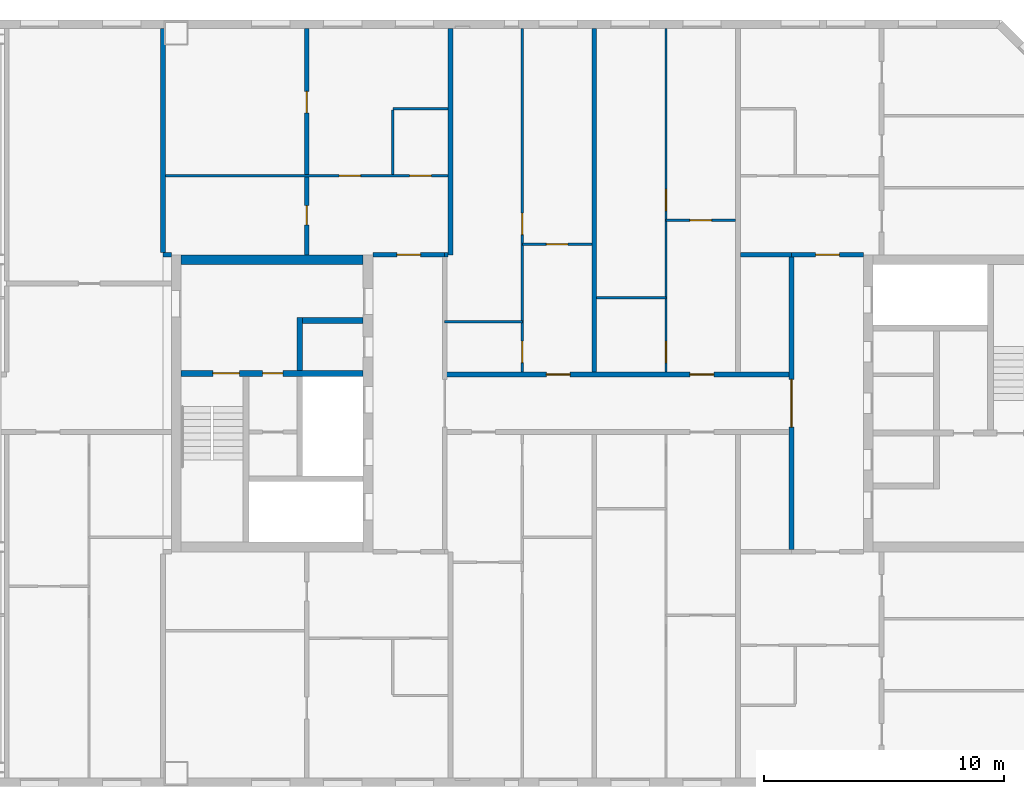
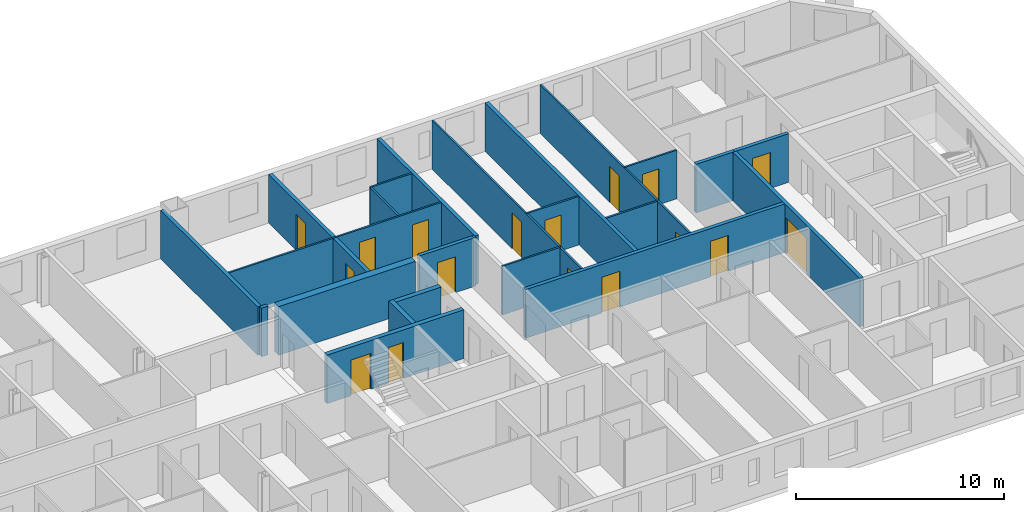
# One storey, part 15 of 19: 24 walls, 17 doors, 17 openings.
"""IFC4 building model written with IfcOpenShell, lengths in metres."""

from ifc_helpers import new_model, si_unit, direction, frame, frame_2d, origin, place, context, subcontext, project, spatial, rectangle, extrude, material, layer, layer_set, type_object, element, fill, save


model = new_model("IFC4")

# Units and contexts
model_context = context("Model", 3, precision=1e-05, world=origin(), true_north=direction((0.0, 1.0)))
body_context = subcontext(model_context, "Body", "Model", "MODEL_VIEW")
ifc_project = project(units=[si_unit("LENGTHUNIT", "METRE"), si_unit("AREAUNIT", "SQUARE_METRE"), si_unit("VOLUMEUNIT", "CUBIC_METRE"), si_unit("PLANEANGLEUNIT", "RADIAN"), si_unit("MASSUNIT", "GRAM", prefix="KILO")], contexts=[model_context])

# Site, building, storey
site_placement = place(None, origin())
site = spatial("IfcSite", under=ifc_project, at=site_placement, CompositionType="ELEMENT")
building_placement = place(site_placement, origin())
building = spatial("IfcBuilding", under=site, at=building_placement, Name="Tuart Gate Housing", CompositionType="ELEMENT")
storey_placement = place(building_placement, frame((0.0, 0.0, 224.5)))
storey = spatial("IfcBuildingStorey", under=building, at=storey_placement, Name="L63", CompositionType="ELEMENT", Elevation=224.5)

# Wall, openings, doors
ifc_material_1 = material(Name="Concrete C40", Category="concrete")
ifc_layer_1 = layer(ifc_material_1, 0.25)
ifc_layer_set_1 = layer_set([ifc_layer_1], Name="Core wall 250 C40")
wall_type_1 = type_object("IfcWallType", Name="Core wall 250 C40", PredefinedType="SHEAR", material=ifc_layer_set_1)
wall_1_placement = place(storey_placement, frame((139.360107421875, 71.25, 0.0), z_axis=(0.0, 0.0, 1.0), x_axis=(-1.0, 0.0, 0.0)))
wall_1 = element("IfcWall", 1, at=wall_1_placement, inside=storey, type_object=wall_type_1, Name="Core wall BG.3", PredefinedType="SHEAR", context=body_context, shape_type="SweptSolid", body=[
    extrude(rectangle(XDim=7.60009765625, YDim=0.25, at=frame_2d((3.800048828125, 0.0))), origin(), (0.0, 0.0, 1.0), 2.85009765625),
])
opening_1_placement = place(wall_1_placement, frame((5.175048828125, 0.0, 0.0)))
opening_1 = element("IfcOpeningElement", 2, at=opening_1_placement, cuts=wall_1, Name="Opening D2409", PredefinedType="OPENING", context=body_context, shape_type="SweptSolid", body=[
    extrude(rectangle(XDim=1.10009765625, YDim=2.10009765625, at=frame_2d((0.550048828125, 1.050048828125))), frame((0.0, 0.135009765625, 0.0), z_axis=(0.0, -1.0, 0.0), x_axis=(1.0, 0.0, 0.0)), (0.0, 0.0, 1.0), 0.27001953125),
])
opening_2_placement = place(wall_1_placement, frame((3.35009765625, 0.0, 0.0)))
opening_2 = element("IfcOpeningElement", 3, at=opening_2_placement, cuts=wall_1, Name="Opening D2408", PredefinedType="OPENING", context=body_context, shape_type="SweptSolid", body=[
    extrude(rectangle(XDim=0.85009765625, YDim=2.10009765625, at=frame_2d((0.425048828125, 1.050048828125))), frame((0.0, 0.135009765625, 0.0), z_axis=(0.0, -1.0, 0.0), x_axis=(1.0, 0.0, 0.0)), (0.0, 0.0, 1.0), 0.27001953125),
])
ifc_material_2 = material(Name="Steel fire door", Category="steel")
door_type_1 = type_object("IfcDoorType", Name="Riser door 850 x 2100", OperationType="SINGLE_SWING_LEFT", PredefinedType="DOOR", material=ifc_material_2)
door_1_placement = place(opening_2_placement, origin())
door_1 = element("IfcDoor", 4, at=door_1_placement, inside=storey, type_object=door_type_1, Name="Service room door BG.W1", OperationType="SINGLE_SWING_LEFT", OverallHeight=2.10009765625, OverallWidth=0.85009765625, PredefinedType="DOOR", context=body_context, shape_type="SweptSolid", body=[
    extrude(rectangle(XDim=0.85009765625, YDim=2.10009765625, at=frame_2d((0.425048828125, 1.050048828125))), frame((0.0, 0.02490234375, 0.0), z_axis=(0.0, -1.0, 0.0), x_axis=(1.0, 0.0, 0.0)), (0.0, 0.0, 1.0), 0.050048828125),
])
fill(opening_2, door_1)
ifc_material_3 = material(Name="Steel fire door", Category="steel")
door_type_2 = type_object("IfcDoorType", Name="Stair door 1100 x 2100", OperationType="SINGLE_SWING_LEFT", PredefinedType="DOOR", material=ifc_material_3)
door_2_placement = place(opening_1_placement, origin())
door_2 = element("IfcDoor", 5, at=door_2_placement, inside=storey, type_object=door_type_2, Name="Stair door BG.SD", OperationType="SINGLE_SWING_LEFT", OverallHeight=2.10009765625, OverallWidth=1.10009765625, PredefinedType="DOOR", context=body_context, shape_type="SweptSolid", body=[
    extrude(rectangle(XDim=1.10009765625, YDim=2.10009765625, at=frame_2d((0.550048828125, 1.050048828125))), frame((0.0, 0.02490234375, 0.0), z_axis=(0.0, -1.0, 0.0), x_axis=(1.0, 0.0, 0.0)), (0.0, 0.0, 1.0), 0.050048828125),
])
fill(opening_1, door_2)

# Walls
wall_2_placement = place(storey_placement, frame((139.360107421875, 73.449951171875, 0.0), z_axis=(0.0, 0.0, 1.0), x_axis=(-1.0, 0.0, 0.0)))
element("IfcWall", 6, at=wall_2_placement, inside=storey, type_object=wall_type_1, Name="Core wall BG.4", PredefinedType="SHEAR", context=body_context, shape_type="SweptSolid", body=[
    extrude(rectangle(XDim=2.525146484375, YDim=0.25, at=frame_2d((1.2626953125, 0.0))), origin(), (0.0, 0.0, 1.0), 2.85009765625),
])
wall_3_placement = place(storey_placement, frame((136.7099609375, 71.375, 0.0), z_axis=(0.0, 0.0, 1.0), x_axis=(0.0, 1.0, 0.0)))
element("IfcWall", 7, at=wall_3_placement, inside=storey, type_object=wall_type_1, Name="Core wall BG.6", PredefinedType="SHEAR", context=body_context, shape_type="SweptSolid", body=[
    extrude(rectangle(XDim=2.199951171875, YDim=0.25, at=frame_2d((1.10009765625, 0.0))), origin(), (0.0, 0.0, 1.0), 2.85009765625),
])
ifc_material_4 = material(Name="Concrete C40", Category="concrete")
ifc_layer_2 = layer(ifc_material_4, 0.39990234375)
ifc_layer_set_2 = layer_set([ifc_layer_2], Name="Core wall 400 C40")
wall_type_2 = type_object("IfcWallType", Name="Core wall 400 C40", PredefinedType="SHEAR", material=ifc_layer_set_2)
wall_4_placement = place(storey_placement, frame((139.360107421875, 76.0, 0.0), z_axis=(0.0, 0.0, 1.0), x_axis=(-1.0, 0.0, 0.0)))
element("IfcWall", 8, at=wall_4_placement, inside=storey, type_object=wall_type_2, Name="Core wall BG north", PredefinedType="SHEAR", context=body_context, shape_type="SweptSolid", body=[
    extrude(rectangle(XDim=7.60009765625, YDim=0.39990234375, at=frame_2d((3.800048828125, 0.0))), origin(), (0.0, 0.0, 1.0), 2.85009765625),
])

# Wall, openings, doors
ifc_material_5 = material(Name="Concrete masonry 15 MPa", Category="masonry")
ifc_layer_3 = layer(ifc_material_5, 0.199951171875)
ifc_layer_set_3 = layer_set([ifc_layer_3], Name="Corridor wall masonry 200")
wall_type_3 = type_object("IfcWallType", Name="Corridor wall masonry 200", PredefinedType="PARTITIONING", material=ifc_layer_set_3)
wall_5_placement = place(storey_placement, frame((142.760009765625, 71.199951171875, 0.0), z_axis=(0.0, 0.0, 1.0), x_axis=(1.0, 0.0, 0.0)))
wall_5 = element("IfcWall", 9, at=wall_5_placement, inside=storey, type_object=wall_type_3, Name="Corridor wall masonry 200", PredefinedType="PARTITIONING", context=body_context, shape_type="SweptSolid", body=[
    extrude(rectangle(XDim=14.47998046875, YDim=0.199951171875, at=frame_2d((7.239990234375, 0.0))), origin(), (0.0, 0.0, 1.0), 2.85009765625),
])
opening_3_placement = place(wall_5_placement, frame((4.239990234375, 0.0, 0.0)))
opening_3 = element("IfcOpeningElement", 10, at=opening_3_placement, cuts=wall_5, Name="Opening D2410", PredefinedType="OPENING", context=body_context, shape_type="SweptSolid", body=[
    extrude(rectangle(XDim=1.0, YDim=2.10009765625, at=frame_2d((0.5, 1.050048828125))), frame((0.0, 0.10986328125, 0.0), z_axis=(0.0, -1.0, 0.0), x_axis=(1.0, 0.0, 0.0)), (0.0, 0.0, 1.0), 0.219970703125),
])
opening_4_placement = place(wall_5_placement, frame((10.239990234375, 0.0, 0.0)))
opening_4 = element("IfcOpeningElement", 11, at=opening_4_placement, cuts=wall_5, Name="Opening D2411", PredefinedType="OPENING", context=body_context, shape_type="SweptSolid", body=[
    extrude(rectangle(XDim=1.0, YDim=2.10009765625, at=frame_2d((0.5, 1.050048828125))), frame((0.0, 0.10986328125, 0.0), z_axis=(0.0, -1.0, 0.0), x_axis=(1.0, 0.0, 0.0)), (0.0, 0.0, 1.0), 0.219970703125),
])
ifc_material_6 = material(Name="Timber door leaf in steel frame", Category="steel")
door_type_3 = type_object("IfcDoorType", Name="Flat entrance door 1000", OperationType="SINGLE_SWING_LEFT", PredefinedType="DOOR", material=ifc_material_6)
door_3_placement = place(opening_3_placement, origin())
door_3 = element("IfcDoor", 12, at=door_3_placement, inside=storey, type_object=door_type_3, Name="Flat entrance door", OperationType="SINGLE_SWING_LEFT", OverallHeight=2.10009765625, OverallWidth=1.0, PredefinedType="DOOR", context=body_context, shape_type="SweptSolid", body=[
    extrude(rectangle(XDim=1.0, YDim=2.10009765625, at=frame_2d((0.5, 1.050048828125))), frame((0.0, 0.02490234375, 0.0), z_axis=(0.0, -1.0, 0.0), x_axis=(1.0, 0.0, 0.0)), (0.0, 0.0, 1.0), 0.050048828125),
])
fill(opening_3, door_3)
door_4_placement = place(opening_4_placement, origin())
door_4 = element("IfcDoor", 13, at=door_4_placement, inside=storey, type_object=door_type_3, Name="Flat entrance door", OperationType="SINGLE_SWING_LEFT", OverallHeight=2.10009765625, OverallWidth=1.0, PredefinedType="DOOR", context=body_context, shape_type="SweptSolid", body=[
    extrude(rectangle(XDim=1.0, YDim=2.10009765625, at=frame_2d((0.5, 1.050048828125))), frame((0.0, 0.02490234375, 0.0), z_axis=(0.0, -1.0, 0.0), x_axis=(1.0, 0.0, 0.0)), (0.0, 0.0, 1.0), 0.050048828125),
])
fill(opening_4, door_4)

# Wall, opening, door
ifc_material_7 = material(Name="Concrete masonry 15 MPa", Category="masonry")
ifc_layer_4 = layer(ifc_material_7, 0.199951171875)
ifc_layer_set_4 = layer_set([ifc_layer_4], Name="Enclosure wall masonry 200")
wall_type_4 = type_object("IfcWallType", Name="Enclosure wall masonry 200", PredefinedType="PARTITIONING", material=ifc_layer_set_4)
wall_6_placement = place(storey_placement, frame((139.760009765625, 76.199951171875, 0.0), z_axis=(0.0, 0.0, 1.0), x_axis=(1.0, 0.0, 0.0)))
wall_6 = element("IfcWall", 14, at=wall_6_placement, inside=storey, type_object=wall_type_4, Name="Enclosure wall masonry 200", PredefinedType="PARTITIONING", context=body_context, shape_type="SweptSolid", body=[
    extrude(rectangle(XDim=3.0, YDim=0.199951171875, at=frame_2d((1.5, 0.0))), origin(), (0.0, 0.0, 1.0), 2.85009765625),
])
opening_5_placement = place(wall_6_placement, frame((1.0, 0.0, 0.0)))
opening_5 = element("IfcOpeningElement", 15, at=opening_5_placement, cuts=wall_6, Name="Opening D2406", PredefinedType="OPENING", context=body_context, shape_type="SweptSolid", body=[
    extrude(rectangle(XDim=1.0, YDim=2.10009765625, at=frame_2d((0.5, 1.050048828125))), frame((0.0, 0.10986328125, 0.0), z_axis=(0.0, -1.0, 0.0), x_axis=(1.0, 0.0, 0.0)), (0.0, 0.0, 1.0), 0.219970703125),
])
ifc_material_8 = material(Name="Timber door leaf in steel frame", Category="steel")
door_type_4 = type_object("IfcDoorType", Name="Flat entrance door 1000 RH", OperationType="SINGLE_SWING_RIGHT", PredefinedType="DOOR", material=ifc_material_8)
door_5_placement = place(opening_5_placement, origin())
door_5 = element("IfcDoor", 16, at=door_5_placement, inside=storey, type_object=door_type_4, Name="Flat entrance door", OperationType="SINGLE_SWING_RIGHT", OverallHeight=2.10009765625, OverallWidth=1.0, PredefinedType="DOOR", context=body_context, shape_type="SweptSolid", body=[
    extrude(rectangle(XDim=1.0, YDim=2.10009765625, at=frame_2d((0.5, 1.050048828125))), frame((0.0, 0.02490234375, 0.0), z_axis=(0.0, -1.0, 0.0), x_axis=(1.0, 0.0, 0.0)), (0.0, 0.0, 1.0), 0.050048828125),
])
fill(opening_5, door_5)

wall_7_placement = place(storey_placement, frame((157.239990234375, 76.199951171875, 0.0), z_axis=(0.0, 0.0, 1.0), x_axis=(1.0, 0.0, 0.0)))
wall_7 = element("IfcWall", 17, at=wall_7_placement, inside=storey, type_object=wall_type_4, Name="Enclosure wall masonry 200", PredefinedType="PARTITIONING", context=body_context, shape_type="SweptSolid", body=[
    extrude(rectangle(XDim=3.0, YDim=0.199951171875, at=frame_2d((1.5, 0.0))), origin(), (0.0, 0.0, 1.0), 2.85009765625),
])
opening_6_placement = place(wall_7_placement, frame((1.0, 0.0, 0.0)))
opening_6 = element("IfcOpeningElement", 18, at=opening_6_placement, cuts=wall_7, Name="Opening D2407", PredefinedType="OPENING", context=body_context, shape_type="SweptSolid", body=[
    extrude(rectangle(XDim=1.0, YDim=2.10009765625, at=frame_2d((0.5, 1.050048828125))), frame((0.0, 0.10986328125, 0.0), z_axis=(0.0, -1.0, 0.0), x_axis=(1.0, 0.0, 0.0)), (0.0, 0.0, 1.0), 0.219970703125),
])
door_6_placement = place(opening_6_placement, origin())
door_6 = element("IfcDoor", 19, at=door_6_placement, inside=storey, type_object=door_type_4, Name="Flat entrance door", OperationType="SINGLE_SWING_RIGHT", OverallHeight=2.10009765625, OverallWidth=1.0, PredefinedType="DOOR", context=body_context, shape_type="SweptSolid", body=[
    extrude(rectangle(XDim=1.0, YDim=2.10009765625, at=frame_2d((0.5, 1.050048828125))), frame((0.0, 0.02490234375, 0.0), z_axis=(0.0, -1.0, 0.0), x_axis=(1.0, 0.0, 0.0)), (0.0, 0.0, 1.0), 0.050048828125),
])
fill(opening_6, door_6)

ifc_material_9 = material(Name="Plasterboard partition")
ifc_layer_5 = layer(ifc_material_9, 0.199951171875)
ifc_layer_set_5 = layer_set([ifc_layer_5], Name="Lobby wall 200")
wall_type_5 = type_object("IfcWallType", Name="Lobby wall 200", PredefinedType="PARTITIONING", material=ifc_layer_set_5)
wall_8_placement = place(storey_placement, frame((157.239990234375, 63.89990234375, 0.0), z_axis=(0.0, 0.0, 1.0), x_axis=(0.0, 1.0, 0.0)))
wall_8 = element("IfcWall", 20, at=wall_8_placement, inside=storey, type_object=wall_type_5, Name="Lift lobby wall BK", PredefinedType="PARTITIONING", context=body_context, shape_type="SweptSolid", body=[
    extrude(rectangle(XDim=12.2001953125, YDim=0.199951171875, at=frame_2d((6.10009765625, 0.0))), origin(), (0.0, 0.0, 1.0), 2.85009765625),
])
opening_7_placement = place(wall_8_placement, frame((5.10009765625, 0.0, 0.0)))
opening_7 = element("IfcOpeningElement", 21, at=opening_7_placement, cuts=wall_8, Name="Opening D2416", PredefinedType="OPENING", context=body_context, shape_type="SweptSolid", body=[
    extrude(rectangle(XDim=2.0, YDim=2.10009765625, at=frame_2d((1.0, 1.050048828125))), frame((0.0, 0.10986328125, 0.0), z_axis=(0.0, -1.0, 0.0), x_axis=(1.0, 0.0, 0.0)), (0.0, 0.0, 1.0), 0.219970703125),
])
ifc_material_10 = material(Name="Steel fire door", Category="steel")
door_type_5 = type_object("IfcDoorType", Name="Smoke door 2000 x 2100", OperationType="DOUBLE_DOOR_SINGLE_SWING", PredefinedType="DOOR", material=ifc_material_10)
door_7_placement = place(opening_7_placement, frame((2.0, 0.0, 0.0), z_axis=(0.0, 0.0, 1.0), x_axis=(-1.0, 0.0, 0.0)))
door_7 = element("IfcDoor", 22, at=door_7_placement, inside=storey, type_object=door_type_5, Name="Lift lobby smoke door BK", OperationType="DOUBLE_DOOR_SINGLE_SWING", OverallHeight=2.10009765625, OverallWidth=2.0, PredefinedType="DOOR", context=body_context, shape_type="SweptSolid", body=[
    extrude(rectangle(XDim=2.0, YDim=2.10009765625, at=frame_2d((1.0, 1.050048828125))), frame((0.0, 0.025146484375, 0.0), z_axis=(0.0, -1.0, 0.0), x_axis=(1.0, 0.0, 0.0)), (0.0, 0.0, 1.0), 0.050048828125),
])
fill(opening_7, door_7)

# Walls
ifc_material_11 = material(Name="Gypsum board on steel studs", Category="steel")
ifc_layer_6 = layer(ifc_material_11, 0.10009765625)
ifc_layer_set_6 = layer_set([ifc_layer_6], Name="Partition 100")
wall_type_6 = type_object("IfcWallType", Name="Partition 100", PredefinedType="PARTITIONING", material=ifc_layer_set_6)
wall_9_placement = place(storey_placement, frame((142.760009765625, 73.39990234375, 0.0), z_axis=(0.0, 0.0, 1.0), x_axis=(1.0, 0.0, 0.0)))
element("IfcWall", 23, at=wall_9_placement, inside=storey, type_object=wall_type_6, Name="Partition 100", PredefinedType="PARTITIONING", context=body_context, shape_type="SweptSolid", body=[
    extrude(rectangle(XDim=3.239990234375, YDim=0.10009765625, at=frame_2d((1.6201171875, 0.0))), origin(), (0.0, 0.0, 1.0), 2.85009765625),
])
wall_10_placement = place(storey_placement, frame((149.10009765625, 74.39990234375, 0.0), z_axis=(0.0, 0.0, 1.0), x_axis=(1.0, 0.0, 0.0)))
element("IfcWall", 24, at=wall_10_placement, inside=storey, type_object=wall_type_6, Name="Partition 100", PredefinedType="PARTITIONING", context=body_context, shape_type="SweptSolid", body=[
    extrude(rectangle(XDim=2.89990234375, YDim=0.10009765625, at=frame_2d((1.449951171875, 0.0))), origin(), (0.0, 0.0, 1.0), 2.85009765625),
])

# Wall, opening, door
wall_11_placement = place(storey_placement, frame((146.0, 76.639892578125, 0.0), z_axis=(0.0, 0.0, 1.0), x_axis=(1.0, 0.0, 0.0)))
wall_11 = element("IfcWall", 25, at=wall_11_placement, inside=storey, type_object=wall_type_6, Name="Partition 100", PredefinedType="PARTITIONING", context=body_context, shape_type="SweptSolid", body=[
    extrude(rectangle(XDim=2.89990234375, YDim=0.10009765625, at=frame_2d((1.449951171875, 0.0))), origin(), (0.0, 0.0, 1.0), 2.85009765625),
])
opening_8_placement = place(wall_11_placement, frame((1.0, 0.0, 0.0)))
opening_8 = element("IfcOpeningElement", 26, at=opening_8_placement, cuts=wall_11, Name="Opening D2405", PredefinedType="OPENING", context=body_context, shape_type="SweptSolid", body=[
    extrude(rectangle(XDim=0.89990234375, YDim=2.10009765625, at=frame_2d((0.449951171875, 1.050048828125))), frame((0.0, 0.06005859375, 0.0), z_axis=(0.0, -1.0, 0.0), x_axis=(1.0, 0.0, 0.0)), (0.0, 0.0, 1.0), 0.1201171875),
])
ifc_material_12 = material(Name="Timber door leaf in steel frame", Category="steel")
door_type_6 = type_object("IfcDoorType", Name="Internal door 900 RH", OperationType="SINGLE_SWING_RIGHT", PredefinedType="DOOR", material=ifc_material_12)
door_8_placement = place(opening_8_placement, frame((0.89990234375, 0.0, 0.0), z_axis=(0.0, 0.0, 1.0), x_axis=(-1.0, 0.0, 0.0)))
door_8 = element("IfcDoor", 27, at=door_8_placement, inside=storey, type_object=door_type_6, Name="Internal door", OperationType="SINGLE_SWING_RIGHT", OverallHeight=2.10009765625, OverallWidth=0.89990234375, PredefinedType="DOOR", context=body_context, shape_type="SweptSolid", body=[
    extrude(rectangle(XDim=0.89990234375, YDim=2.10009765625, at=frame_2d((0.449951171875, 1.050048828125))), frame((0.0, 0.025146484375, 0.0), z_axis=(0.0, -1.0, 0.0), x_axis=(1.0, 0.0, 0.0)), (0.0, 0.0, 1.0), 0.050048828125),
])
fill(opening_8, door_8)

wall_12_placement = place(storey_placement, frame((152.0, 77.639892578125, 0.0), z_axis=(0.0, 0.0, 1.0), x_axis=(1.0, 0.0, 0.0)))
wall_12 = element("IfcWall", 28, at=wall_12_placement, inside=storey, type_object=wall_type_6, Name="Partition 100", PredefinedType="PARTITIONING", context=body_context, shape_type="SweptSolid", body=[
    extrude(rectangle(XDim=2.89990234375, YDim=0.10009765625, at=frame_2d((1.449951171875, 0.0))), origin(), (0.0, 0.0, 1.0), 2.85009765625),
])
opening_9_placement = place(wall_12_placement, frame((1.0, 0.0, 0.0)))
opening_9 = element("IfcOpeningElement", 29, at=opening_9_placement, cuts=wall_12, Name="Opening D2404", PredefinedType="OPENING", context=body_context, shape_type="SweptSolid", body=[
    extrude(rectangle(XDim=0.89990234375, YDim=2.10009765625, at=frame_2d((0.449951171875, 1.050048828125))), frame((0.0, 0.06005859375, 0.0), z_axis=(0.0, -1.0, 0.0), x_axis=(1.0, 0.0, 0.0)), (0.0, 0.0, 1.0), 0.1201171875),
])
door_9_placement = place(opening_9_placement, frame((0.89990234375, 0.0, 0.0), z_axis=(0.0, 0.0, 1.0), x_axis=(-1.0, 0.0, 0.0)))
door_9 = element("IfcDoor", 30, at=door_9_placement, inside=storey, type_object=door_type_6, Name="Internal door", OperationType="SINGLE_SWING_RIGHT", OverallHeight=2.10009765625, OverallWidth=0.89990234375, PredefinedType="DOOR", context=body_context, shape_type="SweptSolid", body=[
    extrude(rectangle(XDim=0.89990234375, YDim=2.10009765625, at=frame_2d((0.449951171875, 1.050048828125))), frame((0.0, 0.025146484375, 0.0), z_axis=(0.0, -1.0, 0.0), x_axis=(1.0, 0.0, 0.0)), (0.0, 0.0, 1.0), 0.050048828125),
])
fill(opening_9, door_9)

# Wall, openings, doors
wall_13_placement = place(storey_placement, frame((131.10009765625, 79.5, 0.0), z_axis=(0.0, 0.0, 1.0), x_axis=(1.0, 0.0, 0.0)))
wall_13 = element("IfcWall", 31, at=wall_13_placement, inside=storey, type_object=wall_type_6, Name="Partition 100", PredefinedType="PARTITIONING", context=body_context, shape_type="SweptSolid", body=[
    extrude(rectangle(XDim=11.7998046875, YDim=0.10009765625, at=frame_2d((5.89990234375, 0.0))), origin(), (0.0, 0.0, 1.0), 2.85009765625),
])
opening_10_placement = place(wall_13_placement, frame((7.25, 0.0, 0.0)))
opening_10 = element("IfcOpeningElement", 32, at=opening_10_placement, cuts=wall_13, Name="Opening D2397", PredefinedType="OPENING", context=body_context, shape_type="SweptSolid", body=[
    extrude(rectangle(XDim=0.89990234375, YDim=2.10009765625, at=frame_2d((0.449951171875, 1.050048828125))), frame((0.0, 0.06005859375, 0.0), z_axis=(0.0, -1.0, 0.0), x_axis=(1.0, 0.0, 0.0)), (0.0, 0.0, 1.0), 0.1201171875),
])
opening_11_placement = place(wall_13_placement, frame((10.199951171875, 0.0, 0.0)))
opening_11 = element("IfcOpeningElement", 33, at=opening_11_placement, cuts=wall_13, Name="Opening D2396", PredefinedType="OPENING", context=body_context, shape_type="SweptSolid", body=[
    extrude(rectangle(XDim=0.89990234375, YDim=2.10009765625, at=frame_2d((0.449951171875, 1.050048828125))), frame((0.0, 0.06005859375, 0.0), z_axis=(0.0, -1.0, 0.0), x_axis=(1.0, 0.0, 0.0)), (0.0, 0.0, 1.0), 0.1201171875),
])
ifc_material_13 = material(Name="Timber door leaf in steel frame", Category="steel")
door_type_7 = type_object("IfcDoorType", Name="Bathroom door 900", OperationType="SINGLE_SWING_LEFT", PredefinedType="DOOR", material=ifc_material_13)
door_10_placement = place(opening_11_placement, origin())
door_10 = element("IfcDoor", 34, at=door_10_placement, inside=storey, type_object=door_type_7, Name="Bathroom door", OperationType="SINGLE_SWING_LEFT", OverallHeight=2.10009765625, OverallWidth=0.89990234375, PredefinedType="DOOR", context=body_context, shape_type="SweptSolid", body=[
    extrude(rectangle(XDim=0.89990234375, YDim=2.10009765625, at=frame_2d((0.449951171875, 1.050048828125))), frame((0.0, 0.02490234375, 0.0), z_axis=(0.0, -1.0, 0.0), x_axis=(1.0, 0.0, 0.0)), (0.0, 0.0, 1.0), 0.050048828125),
])
fill(opening_11, door_10)
door_11_placement = place(opening_10_placement, frame((0.89990234375, 0.0, 0.0), z_axis=(0.0, 0.0, 1.0), x_axis=(-1.0, 0.0, 0.0)))
door_11 = element("IfcDoor", 35, at=door_11_placement, inside=storey, type_object=door_type_6, Name="Internal door", OperationType="SINGLE_SWING_RIGHT", OverallHeight=2.10009765625, OverallWidth=0.89990234375, PredefinedType="DOOR", context=body_context, shape_type="SweptSolid", body=[
    extrude(rectangle(XDim=0.89990234375, YDim=2.10009765625, at=frame_2d((0.449951171875, 1.050048828125))), frame((0.0, 0.025146484375, 0.0), z_axis=(0.0, -1.0, 0.0), x_axis=(1.0, 0.0, 0.0)), (0.0, 0.0, 1.0), 0.050048828125),
])
fill(opening_10, door_11)

# Walls
wall_14_placement = place(storey_placement, frame((140.60009765625, 82.300048828125, 0.0), z_axis=(0.0, 0.0, 1.0), x_axis=(1.0, 0.0, 0.0)))
element("IfcWall", 36, at=wall_14_placement, inside=storey, type_object=wall_type_6, Name="Partition 100", PredefinedType="PARTITIONING", context=body_context, shape_type="SweptSolid", body=[
    extrude(rectangle(XDim=2.2998046875, YDim=0.10009765625, at=frame_2d((1.14990234375, 0.0))), origin(), (0.0, 0.0, 1.0), 2.85009765625),
])
wall_15_placement = place(storey_placement, frame((140.60009765625, 79.550048828125, 0.0), z_axis=(0.0, 0.0, 1.0), x_axis=(0.0, 1.0, 0.0)))
element("IfcWall", 37, at=wall_15_placement, inside=storey, type_object=wall_type_6, Name="Partition 100", PredefinedType="PARTITIONING", context=body_context, shape_type="SweptSolid", body=[
    extrude(rectangle(XDim=2.699951171875, YDim=0.10009765625, at=frame_2d((1.35009765625, 0.0))), origin(), (0.0, 0.0, 1.0), 2.85009765625),
])

# Wall, openings, doors
wall_16_placement = place(storey_placement, frame((146.0, 71.300048828125, 0.0), z_axis=(0.0, 0.0, 1.0), x_axis=(0.0, 1.0, 0.0)))
wall_16 = element("IfcWall", 38, at=wall_16_placement, inside=storey, type_object=wall_type_6, Name="Partition 100", PredefinedType="PARTITIONING", context=body_context, shape_type="SweptSolid", body=[
    extrude(rectangle(XDim=14.33984375, YDim=0.10009765625, at=frame_2d((7.169921875, 0.0))), origin(), (0.0, 0.0, 1.0), 2.85009765625),
])
opening_12_placement = place(wall_16_placement, frame((5.739990234375, 0.0, 0.0)))
opening_12 = element("IfcOpeningElement", 39, at=opening_12_placement, cuts=wall_16, Name="Opening D2401", PredefinedType="OPENING", context=body_context, shape_type="SweptSolid", body=[
    extrude(rectangle(XDim=0.89990234375, YDim=2.10009765625, at=frame_2d((0.449951171875, 1.050048828125))), frame((0.0, 0.06005859375, 0.0), z_axis=(0.0, -1.0, 0.0), x_axis=(1.0, 0.0, 0.0)), (0.0, 0.0, 1.0), 0.1201171875),
])
opening_13_placement = place(wall_16_placement, frame((0.39990234375, 0.0, 0.0)))
opening_13 = element("IfcOpeningElement", 40, at=opening_13_placement, cuts=wall_16, Name="Opening D2400", PredefinedType="OPENING", context=body_context, shape_type="SweptSolid", body=[
    extrude(rectangle(XDim=0.89990234375, YDim=2.10009765625, at=frame_2d((0.449951171875, 1.050048828125))), frame((0.0, 0.06005859375, 0.0), z_axis=(0.0, -1.0, 0.0), x_axis=(1.0, 0.0, 0.0)), (0.0, 0.0, 1.0), 0.1201171875),
])
door_12_placement = place(opening_13_placement, origin())
door_12 = element("IfcDoor", 41, at=door_12_placement, inside=storey, type_object=door_type_7, Name="Bathroom door", OperationType="SINGLE_SWING_LEFT", OverallHeight=2.10009765625, OverallWidth=0.89990234375, PredefinedType="DOOR", context=body_context, shape_type="SweptSolid", body=[
    extrude(rectangle(XDim=0.89990234375, YDim=2.10009765625, at=frame_2d((0.449951171875, 1.050048828125))), frame((0.0, 0.02490234375, 0.0), z_axis=(0.0, -1.0, 0.0), x_axis=(1.0, 0.0, 0.0)), (0.0, 0.0, 1.0), 0.050048828125),
])
fill(opening_13, door_12)
ifc_material_14 = material(Name="Timber door leaf in steel frame", Category="steel")
door_type_8 = type_object("IfcDoorType", Name="Internal door 900", OperationType="SINGLE_SWING_LEFT", PredefinedType="DOOR", material=ifc_material_14)
door_13_placement = place(opening_12_placement, origin())
door_13 = element("IfcDoor", 42, at=door_13_placement, inside=storey, type_object=door_type_8, Name="Internal door", OperationType="SINGLE_SWING_LEFT", OverallHeight=2.10009765625, OverallWidth=0.89990234375, PredefinedType="DOOR", context=body_context, shape_type="SweptSolid", body=[
    extrude(rectangle(XDim=0.89990234375, YDim=2.10009765625, at=frame_2d((0.449951171875, 1.050048828125))), frame((0.0, 0.02490234375, 0.0), z_axis=(0.0, -1.0, 0.0), x_axis=(1.0, 0.0, 0.0)), (0.0, 0.0, 1.0), 0.050048828125),
])
fill(opening_12, door_13)

wall_17_placement = place(storey_placement, frame((152.0, 71.300048828125, 0.0), z_axis=(0.0, 0.0, 1.0), x_axis=(0.0, 1.0, 0.0)))
wall_17 = element("IfcWall", 43, at=wall_17_placement, inside=storey, type_object=wall_type_6, Name="Partition 100", PredefinedType="PARTITIONING", context=body_context, shape_type="SweptSolid", body=[
    extrude(rectangle(XDim=14.33984375, YDim=0.10009765625, at=frame_2d((7.169921875, 0.0))), origin(), (0.0, 0.0, 1.0), 2.85009765625),
])
opening_14_placement = place(wall_17_placement, frame((6.739990234375, 0.0, 0.0)))
opening_14 = element("IfcOpeningElement", 44, at=opening_14_placement, cuts=wall_17, Name="Opening D2403", PredefinedType="OPENING", context=body_context, shape_type="SweptSolid", body=[
    extrude(rectangle(XDim=0.89990234375, YDim=2.10009765625, at=frame_2d((0.449951171875, 1.050048828125))), frame((0.0, 0.06005859375, 0.0), z_axis=(0.0, -1.0, 0.0), x_axis=(1.0, 0.0, 0.0)), (0.0, 0.0, 1.0), 0.1201171875),
])
opening_15_placement = place(wall_17_placement, frame((0.39990234375, 0.0, 0.0)))
opening_15 = element("IfcOpeningElement", 45, at=opening_15_placement, cuts=wall_17, Name="Opening D2402", PredefinedType="OPENING", context=body_context, shape_type="SweptSolid", body=[
    extrude(rectangle(XDim=0.89990234375, YDim=2.10009765625, at=frame_2d((0.449951171875, 1.050048828125))), frame((0.0, 0.06005859375, 0.0), z_axis=(0.0, -1.0, 0.0), x_axis=(1.0, 0.0, 0.0)), (0.0, 0.0, 1.0), 0.1201171875),
])
door_14_placement = place(opening_15_placement, origin())
door_14 = element("IfcDoor", 46, at=door_14_placement, inside=storey, type_object=door_type_7, Name="Bathroom door", OperationType="SINGLE_SWING_LEFT", OverallHeight=2.10009765625, OverallWidth=0.89990234375, PredefinedType="DOOR", context=body_context, shape_type="SweptSolid", body=[
    extrude(rectangle(XDim=0.89990234375, YDim=2.10009765625, at=frame_2d((0.449951171875, 1.050048828125))), frame((0.0, 0.02490234375, 0.0), z_axis=(0.0, -1.0, 0.0), x_axis=(1.0, 0.0, 0.0)), (0.0, 0.0, 1.0), 0.050048828125),
])
fill(opening_15, door_14)
door_15_placement = place(opening_14_placement, origin())
door_15 = element("IfcDoor", 47, at=door_15_placement, inside=storey, type_object=door_type_8, Name="Internal door", OperationType="SINGLE_SWING_LEFT", OverallHeight=2.10009765625, OverallWidth=0.89990234375, PredefinedType="DOOR", context=body_context, shape_type="SweptSolid", body=[
    extrude(rectangle(XDim=0.89990234375, YDim=2.10009765625, at=frame_2d((0.449951171875, 1.050048828125))), frame((0.0, 0.02490234375, 0.0), z_axis=(0.0, -1.0, 0.0), x_axis=(1.0, 0.0, 0.0)), (0.0, 0.0, 1.0), 0.050048828125),
])
fill(opening_14, door_15)

ifc_material_15 = material(Name="Concrete C40", Category="concrete")
ifc_layer_7 = layer(ifc_material_15, 0.199951171875)
ifc_layer_set_7 = layer_set([ifc_layer_7], Name="Party wall concrete C40 200")
wall_type_7 = type_object("IfcWallType", Name="Party wall concrete C40 200", PredefinedType="SOLIDWALL", material=ifc_layer_set_7)
wall_18_placement = place(storey_placement, frame((137.0, 76.199951171875, 0.0), z_axis=(0.0, 0.0, 1.0), x_axis=(0.0, 1.0, 0.0)))
wall_18 = element("IfcWall", 48, at=wall_18_placement, inside=storey, type_object=wall_type_7, Name="Party wall concrete C40 200", PredefinedType="SOLIDWALL", context=body_context, shape_type="SweptSolid", body=[
    extrude(rectangle(XDim=9.43994140625, YDim=0.199951171875, at=frame_2d((4.719970703125, 0.0))), origin(), (0.0, 0.0, 1.0), 2.85009765625),
])
opening_16_placement = place(wall_18_placement, frame((5.919921875, 0.0, 0.0)))
opening_16 = element("IfcOpeningElement", 49, at=opening_16_placement, cuts=wall_18, Name="Opening D2391", PredefinedType="OPENING", context=body_context, shape_type="SweptSolid", body=[
    extrude(rectangle(XDim=0.89990234375, YDim=2.10009765625, at=frame_2d((0.449951171875, 1.050048828125))), frame((0.0, 0.10986328125, 0.0), z_axis=(0.0, -1.0, 0.0), x_axis=(1.0, 0.0, 0.0)), (0.0, 0.0, 1.0), 0.219970703125),
])
opening_17_placement = place(wall_18_placement, frame((1.25, 0.0, 0.0)))
opening_17 = element("IfcOpeningElement", 50, at=opening_17_placement, cuts=wall_18, Name="Opening D2392", PredefinedType="OPENING", context=body_context, shape_type="SweptSolid", body=[
    extrude(rectangle(XDim=0.800048828125, YDim=2.10009765625, at=frame_2d((0.39990234375, 1.050048828125))), frame((0.0, 0.10986328125, 0.0), z_axis=(0.0, -1.0, 0.0), x_axis=(1.0, 0.0, 0.0)), (0.0, 0.0, 1.0), 0.219970703125),
])
door_16_placement = place(opening_16_placement, origin())
door_16 = element("IfcDoor", 51, at=door_16_placement, inside=storey, type_object=door_type_8, Name="Internal door", OperationType="SINGLE_SWING_LEFT", OverallHeight=2.10009765625, OverallWidth=0.89990234375, PredefinedType="DOOR", context=body_context, shape_type="SweptSolid", body=[
    extrude(rectangle(XDim=0.89990234375, YDim=2.10009765625, at=frame_2d((0.449951171875, 1.050048828125))), frame((0.0, 0.02490234375, 0.0), z_axis=(0.0, -1.0, 0.0), x_axis=(1.0, 0.0, 0.0)), (0.0, 0.0, 1.0), 0.050048828125),
])
fill(opening_16, door_16)
ifc_material_16 = material(Name="Timber door leaf in steel frame", Category="steel")
door_type_9 = type_object("IfcDoorType", Name="Store door 800", OperationType="SINGLE_SWING_LEFT", PredefinedType="DOOR", material=ifc_material_16)
door_17_placement = place(opening_17_placement, origin())
door_17 = element("IfcDoor", 52, at=door_17_placement, inside=storey, type_object=door_type_9, Name="Store door", OperationType="SINGLE_SWING_LEFT", OverallHeight=2.10009765625, OverallWidth=0.800048828125, PredefinedType="DOOR", context=body_context, shape_type="SweptSolid", body=[
    extrude(rectangle(XDim=0.800048828125, YDim=2.10009765625, at=frame_2d((0.39990234375, 1.050048828125))), frame((0.0, 0.02490234375, 0.0), z_axis=(0.0, -1.0, 0.0), x_axis=(1.0, 0.0, 0.0)), (0.0, 0.0, 1.0), 0.050048828125),
])
fill(opening_17, door_17)

# Walls
wall_19_placement = place(storey_placement, frame((143.0, 76.199951171875, 0.0), z_axis=(0.0, 0.0, 1.0), x_axis=(0.0, 1.0, 0.0)))
element("IfcWall", 53, at=wall_19_placement, inside=storey, type_object=wall_type_7, Name="Party wall concrete C40 200", PredefinedType="SOLIDWALL", context=body_context, shape_type="SweptSolid", body=[
    extrude(rectangle(XDim=9.43994140625, YDim=0.199951171875, at=frame_2d((4.719970703125, 0.0))), origin(), (0.0, 0.0, 1.0), 2.85009765625),
])
wall_20_placement = place(storey_placement, frame((149.0, 71.199951171875, 0.0), z_axis=(0.0, 0.0, 1.0), x_axis=(0.0, 1.0, 0.0)))
element("IfcWall", 54, at=wall_20_placement, inside=storey, type_object=wall_type_7, Name="Party wall concrete C40 200", PredefinedType="SOLIDWALL", context=body_context, shape_type="SweptSolid", body=[
    extrude(rectangle(XDim=14.43994140625, YDim=0.199951171875, at=frame_2d((7.219970703125, 0.0))), origin(), (0.0, 0.0, 1.0), 2.85009765625),
])
ifc_material_17 = material(Name="Concrete masonry 15 MPa", Category="masonry")
ifc_layer_8 = layer(ifc_material_17, 0.199951171875)
ifc_layer_set_8 = layer_set([ifc_layer_8], Name="Party wall masonry 200")
wall_type_8 = type_object("IfcWallType", Name="Party wall masonry 200", PredefinedType="PARTITIONING", material=ifc_layer_set_8)
wall_21_placement = place(storey_placement, frame((131.0, 76.199951171875, 0.0), z_axis=(0.0, 0.0, 1.0), x_axis=(1.0, 0.0, 0.0)))
element("IfcWall", 55, at=wall_21_placement, inside=storey, type_object=wall_type_8, Name="Party wall masonry 200", PredefinedType="PARTITIONING", context=body_context, shape_type="SweptSolid", body=[
    extrude(rectangle(XDim=0.360107421875, YDim=0.199951171875, at=frame_2d((0.18017578125, 0.0))), origin(), (0.0, 0.0, 1.0), 2.85009765625),
])
wall_22_placement = place(storey_placement, frame((142.760009765625, 76.199951171875, 0.0), z_axis=(0.0, 0.0, 1.0), x_axis=(1.0, 0.0, 0.0)))
element("IfcWall", 56, at=wall_22_placement, inside=storey, type_object=wall_type_8, Name="Party wall masonry 200", PredefinedType="PARTITIONING", context=body_context, shape_type="SweptSolid", body=[
    extrude(rectangle(XDim=0.139892578125, YDim=0.199951171875, at=frame_2d((0.06982421875, 0.0))), origin(), (0.0, 0.0, 1.0), 2.85009765625),
])
wall_23_placement = place(storey_placement, frame((155.10009765625, 76.199951171875, 0.0), z_axis=(0.0, 0.0, 1.0), x_axis=(1.0, 0.0, 0.0)))
element("IfcWall", 57, at=wall_23_placement, inside=storey, type_object=wall_type_8, Name="Party wall masonry 200", PredefinedType="PARTITIONING", context=body_context, shape_type="SweptSolid", body=[
    extrude(rectangle(XDim=2.139892578125, YDim=0.199951171875, at=frame_2d((1.06982421875, 0.0))), origin(), (0.0, 0.0, 1.0), 2.85009765625),
])
wall_24_placement = place(storey_placement, frame((131.0, 76.300048828125, 0.0), z_axis=(0.0, 0.0, 1.0), x_axis=(0.0, 1.0, 0.0)))
element("IfcWall", 58, at=wall_24_placement, inside=storey, type_object=wall_type_8, Name="Party wall masonry 200", PredefinedType="PARTITIONING", context=body_context, shape_type="SweptSolid", body=[
    extrude(rectangle(XDim=9.33984375, YDim=0.199951171875, at=frame_2d((4.669921875, 0.0))), origin(), (0.0, 0.0, 1.0), 2.85009765625),
])

save(model, "model.ifc")
